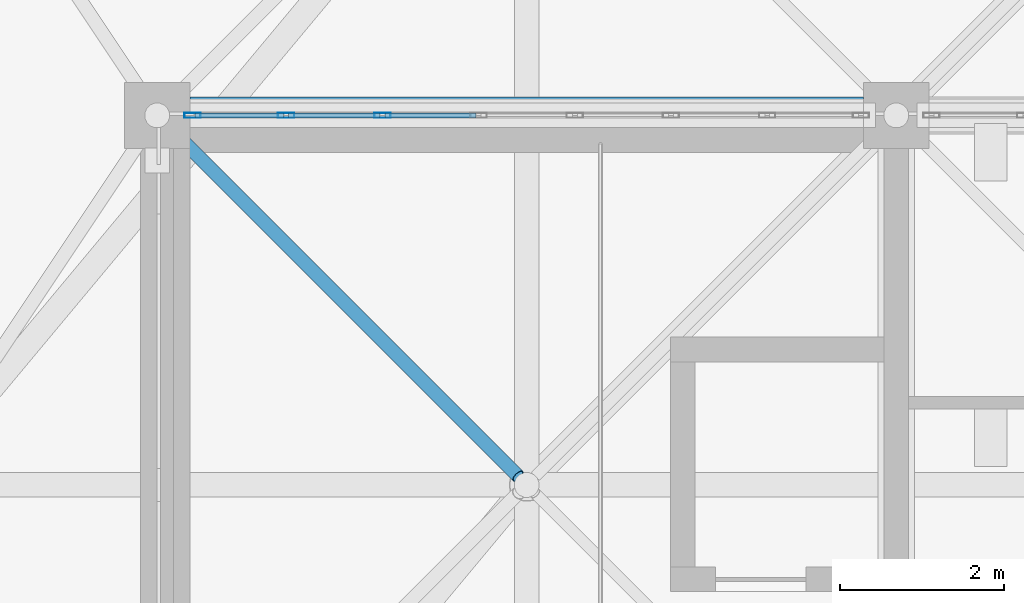
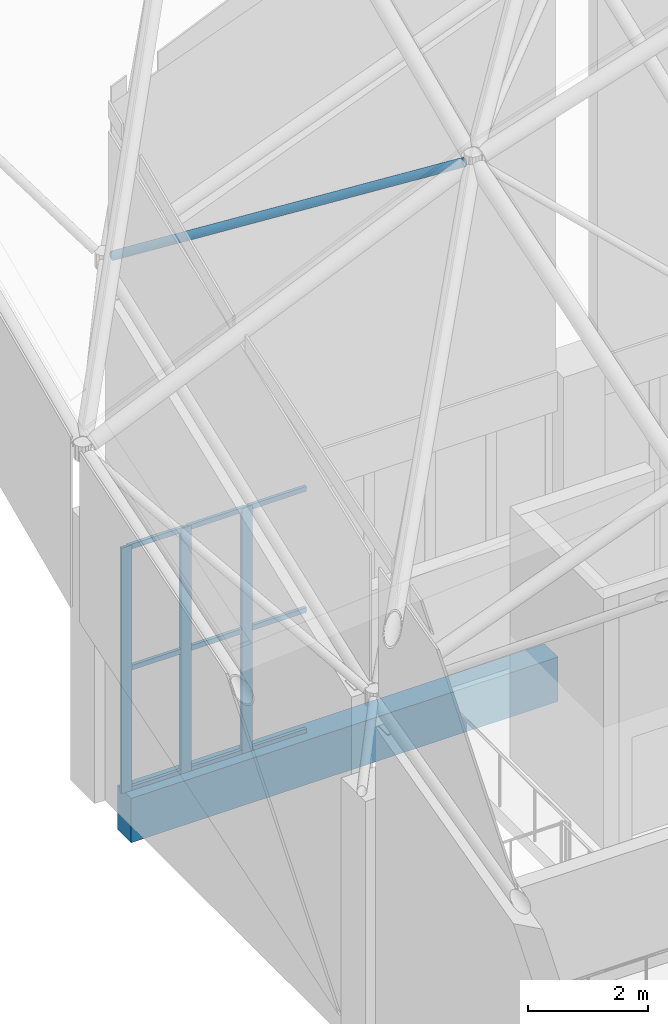
# One storey, part 103 of 437: 13 members, 1 beam, 1 element without a shape of its own.
"""IFC4 building model written with IfcOpenShell, lengths in metres."""

from ifc_helpers import new_model, si_unit, direction, frame, origin, origin_2d, place, context, subcontext, project, spatial, rectangle, hollow_rectangle, hollow_circle, extrude, material, layer, layer_set, material_profile, profile_set, type_object, element, aggregate, save


model = new_model("IFC4")

# Units and contexts
model_context = context("Model", 3, precision=1e-05, world=origin(), true_north=direction((0.0, 1.0)))
body_context = subcontext(model_context, "Body", "Model", "MODEL_VIEW")
ifc_project = project(units=[si_unit("LENGTHUNIT", "METRE"), si_unit("AREAUNIT", "SQUARE_METRE"), si_unit("VOLUMEUNIT", "CUBIC_METRE"), si_unit("PLANEANGLEUNIT", "RADIAN"), si_unit("MASSUNIT", "GRAM", prefix="KILO")], contexts=[model_context])

# Site, building, storey
site_placement = place(None, origin())
site = spatial("IfcSite", under=ifc_project, at=site_placement, CompositionType="ELEMENT")
building_placement = place(site_placement, origin())
building = spatial("IfcBuilding", under=site, at=building_placement, Name="Opaline Strait Convention Centre", CompositionType="ELEMENT")
storey_placement = place(building_placement, frame((0.0, 0.0, 11.5)))
storey = spatial("IfcBuildingStorey", under=building, at=storey_placement, Name="L02", CompositionType="ELEMENT", Elevation=11.5)

# Curtain wall, members
ifc_material_1 = material(Name="Aluminium framed double glazing", Category="aluminium")
ifc_layer = layer(ifc_material_1, 0.199951171875)
ifc_layer_set = layer_set([ifc_layer], Name="Aluminium framed double glazing")
curtain_wall_type = type_object("IfcCurtainWallType", Name="Curtain wall 1250", PredefinedType="NOTDEFINED", material=ifc_layer_set)
curtain_wall_placement = place(storey_placement, origin())
curtain_wall = element("IfcCurtainWall", 1, at=curtain_wall_placement, inside=storey, type_object=curtain_wall_type, Name="Curtain wall N-9-L02", PredefinedType="NOTDEFINED")
ifc_material_2 = material(Name="Aluminium alloy 6063", Category="aluminium")
ifc_material_profile_1 = material_profile(ifc_material_2, hollow_rectangle(XDim=0.06005859375, YDim=0.199951171875, WallThickness=0.00390625, at=origin_2d()), Name="MULLION 60x200x4")
ifc_profile_set_1 = profile_set([ifc_material_profile_1], Name="Aluminium alloy 6063")
member_type_1 = type_object("IfcMemberType", Name="Curtain wall mullion 60 x 200", PredefinedType="MULLION", material=ifc_profile_set_1)
member_1_placement = place(storey_placement, frame((9.429931640625, 180.0, -0.280029296875), z_axis=(0.0, 0.0, 1.0), x_axis=(0.0, 1.0, 0.0)))
member_1 = element("IfcMember", 2, at=member_1_placement, type_object=member_type_1, Name="PCW mullion 1", PredefinedType="MULLION", context=body_context, shape_type="SweptSolid", body=[
    extrude(hollow_rectangle(XDim=0.06005859375, YDim=0.199951171875, WallThickness=0.00390625, at=origin_2d()), origin(), (0.0, 0.0, 1.0), 4.97998046875),
])
member_2_placement = place(storey_placement, frame((10.5712890625, 180.0, -0.280029296875), z_axis=(0.0, 0.0, 1.0), x_axis=(0.0, 1.0, 0.0)))
member_2 = element("IfcMember", 3, at=member_2_placement, type_object=member_type_1, Name="PCW mullion 2", PredefinedType="MULLION", context=body_context, shape_type="SweptSolid", body=[
    extrude(hollow_rectangle(XDim=0.06005859375, YDim=0.199951171875, WallThickness=0.00390625, at=origin_2d()), origin(), (0.0, 0.0, 1.0), 4.97998046875),
])
member_3_placement = place(storey_placement, frame((11.742919921875, 180.0, -0.280029296875), z_axis=(0.0, 0.0, 1.0), x_axis=(0.0, 1.0, 0.0)))
member_3 = element("IfcMember", 4, at=member_3_placement, type_object=member_type_1, Name="PCW mullion 3", PredefinedType="MULLION", context=body_context, shape_type="SweptSolid", body=[
    extrude(hollow_rectangle(XDim=0.06005859375, YDim=0.199951171875, WallThickness=0.00390625, at=origin_2d()), origin(), (0.0, 0.0, 1.0), 4.97998046875),
])
ifc_material_profile_2 = material_profile(ifc_material_2, hollow_rectangle(XDim=0.06005859375, YDim=0.10009765625, WallThickness=0.0029296875, at=origin_2d()), Name="TRANSOM 60x100x3")
ifc_profile_set_2 = profile_set([ifc_material_profile_2], Name="Aluminium alloy 6063")
member_type_2 = type_object("IfcMemberType", Name="Curtain wall transom 60 x 100", PredefinedType="USERDEFINED", material=ifc_profile_set_2)
member_4_placement = place(storey_placement, frame((9.4599609375, 180.0, -0.25), z_axis=(1.0, 0.0, 0.0), x_axis=(0.0, 1.0, 0.0)))
member_4 = element("IfcMember", 5, at=member_4_placement, type_object=member_type_2, Name="PCW transom 1.1", ObjectType="TRANSOM", PredefinedType="USERDEFINED", context=body_context, shape_type="SweptSolid", body=[
    extrude(hollow_rectangle(XDim=0.06005859375, YDim=0.10009765625, WallThickness=0.0029296875, at=origin_2d()), origin(), (0.0, 0.0, 1.0), 1.081298828125),
])
member_5_placement = place(storey_placement, frame((9.4599609375, 180.0, 2.2099609375), z_axis=(1.0, 0.0, 0.0), x_axis=(0.0, 1.0, 0.0)))
member_5 = element("IfcMember", 6, at=member_5_placement, type_object=member_type_2, Name="PCW transom 1.2", ObjectType="TRANSOM", PredefinedType="USERDEFINED", context=body_context, shape_type="SweptSolid", body=[
    extrude(hollow_rectangle(XDim=0.06005859375, YDim=0.10009765625, WallThickness=0.0029296875, at=origin_2d()), origin(), (0.0, 0.0, 1.0), 1.081298828125),
])
member_6_placement = place(storey_placement, frame((9.4599609375, 180.0, 4.669921875), z_axis=(1.0, 0.0, 0.0), x_axis=(0.0, 1.0, 0.0)))
member_6 = element("IfcMember", 7, at=member_6_placement, type_object=member_type_2, Name="PCW transom 1.3", ObjectType="TRANSOM", PredefinedType="USERDEFINED", context=body_context, shape_type="SweptSolid", body=[
    extrude(hollow_rectangle(XDim=0.06005859375, YDim=0.10009765625, WallThickness=0.0029296875, at=origin_2d()), origin(), (0.0, 0.0, 1.0), 1.081298828125),
])
member_7_placement = place(storey_placement, frame((10.601318359375, 180.0, -0.25), z_axis=(1.0, 0.0, 0.0), x_axis=(0.0, 1.0, 0.0)))
member_7 = element("IfcMember", 8, at=member_7_placement, type_object=member_type_2, Name="PCW transom 2.1", ObjectType="TRANSOM", PredefinedType="USERDEFINED", context=body_context, shape_type="SweptSolid", body=[
    extrude(hollow_rectangle(XDim=0.06005859375, YDim=0.10009765625, WallThickness=0.0029296875, at=origin_2d()), origin(), (0.0, 0.0, 1.0), 1.111572265625),
])
member_8_placement = place(storey_placement, frame((10.601318359375, 180.0, 2.2099609375), z_axis=(1.0, 0.0, 0.0), x_axis=(0.0, 1.0, 0.0)))
member_8 = element("IfcMember", 9, at=member_8_placement, type_object=member_type_2, Name="PCW transom 2.2", ObjectType="TRANSOM", PredefinedType="USERDEFINED", context=body_context, shape_type="SweptSolid", body=[
    extrude(hollow_rectangle(XDim=0.06005859375, YDim=0.10009765625, WallThickness=0.0029296875, at=origin_2d()), origin(), (0.0, 0.0, 1.0), 1.111572265625),
])
member_9_placement = place(storey_placement, frame((10.601318359375, 180.0, 4.669921875), z_axis=(1.0, 0.0, 0.0), x_axis=(0.0, 1.0, 0.0)))
member_9 = element("IfcMember", 10, at=member_9_placement, type_object=member_type_2, Name="PCW transom 2.3", ObjectType="TRANSOM", PredefinedType="USERDEFINED", context=body_context, shape_type="SweptSolid", body=[
    extrude(hollow_rectangle(XDim=0.06005859375, YDim=0.10009765625, WallThickness=0.0029296875, at=origin_2d()), origin(), (0.0, 0.0, 1.0), 1.111572265625),
])
member_10_placement = place(storey_placement, frame((11.772705078125, 180.0, -0.25), z_axis=(1.0, 0.0, 0.0), x_axis=(0.0, 1.0, 0.0)))
member_10 = element("IfcMember", 11, at=member_10_placement, type_object=member_type_2, Name="PCW transom 3.1", ObjectType="TRANSOM", PredefinedType="USERDEFINED", context=body_context, shape_type="SweptSolid", body=[
    extrude(hollow_rectangle(XDim=0.06005859375, YDim=0.10009765625, WallThickness=0.0029296875, at=origin_2d()), origin(), (0.0, 0.0, 1.0), 1.111572265625),
])
member_11_placement = place(storey_placement, frame((11.772705078125, 180.0, 2.2099609375), z_axis=(1.0, 0.0, 0.0), x_axis=(0.0, 1.0, 0.0)))
member_11 = element("IfcMember", 12, at=member_11_placement, type_object=member_type_2, Name="PCW transom 3.2", ObjectType="TRANSOM", PredefinedType="USERDEFINED", context=body_context, shape_type="SweptSolid", body=[
    extrude(hollow_rectangle(XDim=0.06005859375, YDim=0.10009765625, WallThickness=0.0029296875, at=origin_2d()), origin(), (0.0, 0.0, 1.0), 1.111572265625),
])
member_12_placement = place(storey_placement, frame((11.772705078125, 180.0, 4.669921875), z_axis=(1.0, 0.0, 0.0), x_axis=(0.0, 1.0, 0.0)))
member_12 = element("IfcMember", 13, at=member_12_placement, type_object=member_type_2, Name="PCW transom 3.3", ObjectType="TRANSOM", PredefinedType="USERDEFINED", context=body_context, shape_type="SweptSolid", body=[
    extrude(hollow_rectangle(XDim=0.06005859375, YDim=0.10009765625, WallThickness=0.0029296875, at=origin_2d()), origin(), (0.0, 0.0, 1.0), 1.111572265625),
])
aggregate(curtain_wall, [member_1, member_2, member_3, member_4, member_5, member_6, member_7, member_8, member_9, member_10, member_11, member_12])

# Beam
ifc_material_3 = material(Name="Concrete C35", Category="concrete")
ifc_material_profile_3 = material_profile(ifc_material_3, rectangle(XDim=0.449951171875, YDim=0.89990234375, at=origin_2d()), Name="RC 450x900")
ifc_profile_set_3 = profile_set([ifc_material_profile_3], Name="Concrete C35")
beam_type = type_object("IfcBeamType", Name="RC floor beam 450x900 C35", PredefinedType="BEAM", material=ifc_profile_set_3)
beam_placement = place(storey_placement, frame((9.39990234375, 180.0, -0.72998046875), z_axis=(1.0, 0.0, 0.0), x_axis=(0.0, 1.0, 0.0)))
element("IfcBeam", 14, at=beam_placement, inside=storey, type_object=beam_type, Name="PFB1 L02 beam 2/W-3/W", PredefinedType="BEAM", context=body_context, shape_type="SweptSolid", body=[
    extrude(rectangle(XDim=0.449951171875, YDim=0.89990234375, at=origin_2d()), origin(), (0.0, 0.0, 1.0), 8.2001953125),
])

# Member
ifc_material_4 = material(Name="Steel Q355B", Category="steel")
ifc_material_profile_4 = material_profile(ifc_material_4, hollow_circle(Radius=0.083984375, WallThickness=0.010009765625, at=origin_2d()), Name="CHS 168x10")
ifc_profile_set_4 = profile_set([ifc_material_profile_4], Name="Steel Q355B")
member_type_3 = type_object("IfcMemberType", Name="Shell truss web CHS 168x10", PredefinedType="BRACE", material=ifc_profile_set_4)
member_13_placement = place(storey_placement, frame((9.106201171875, 179.893798828125, 10.769287109375), z_axis=(0.633718163842, -0.633718163842, 0.443624365464), x_axis=(0.707106781187, 0.707106781187, 0.0)))
element("IfcMember", 15, at=member_13_placement, inside=storey, type_object=member_type_3, Name="PWB1 web 1-8bc", PredefinedType="BRACE", context=body_context, shape_type="SweptSolid", body=[
    extrude(hollow_circle(Radius=0.083984375, WallThickness=0.010009765625, at=origin_2d()), origin(), (0.0, 0.0, 1.0), 6.765869140625),
])

save(model, "model.ifc")
